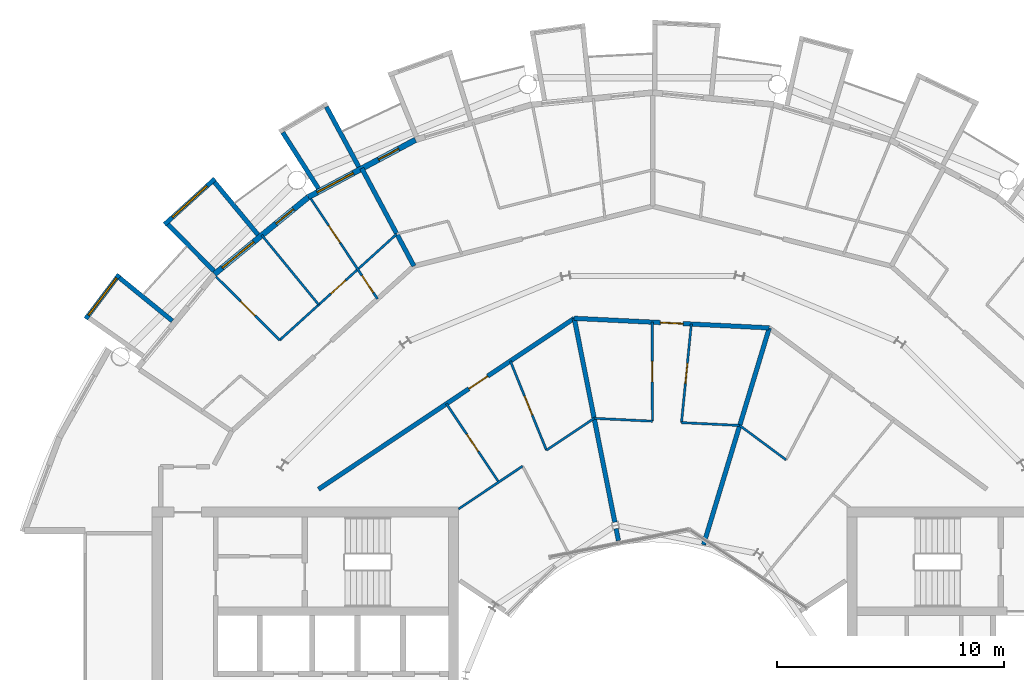
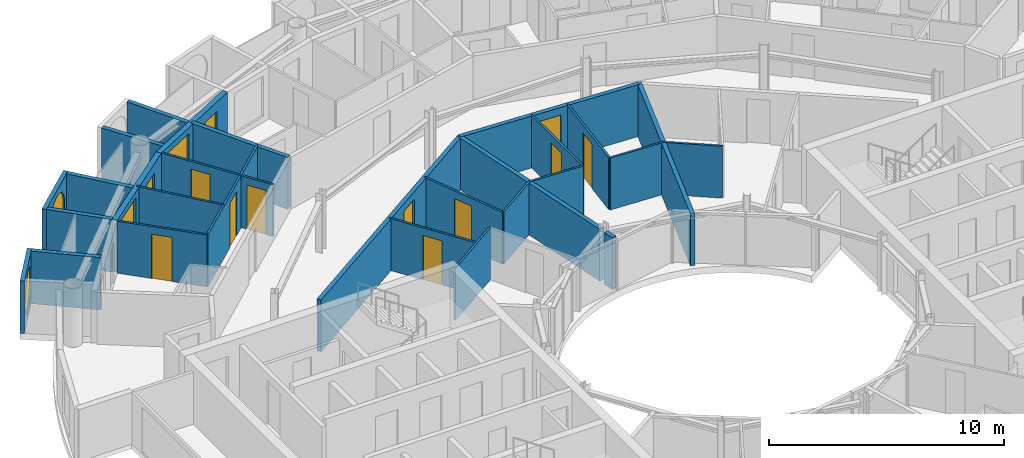
# One storey, part 21 of 29: 28 walls, 12 doors, 4 windows, 16 openings.
"""IFC4 building model written with IfcOpenShell, lengths in metres."""

from ifc_helpers import new_model, si_unit, direction, frame, frame_2d, origin, place, context, subcontext, project, spatial, rectangle, circle, extrude, material, layer, layer_set, type_object, element, fill, save


model = new_model("IFC4")

# Units and contexts
model_context = context("Model", 3, precision=1e-05, world=origin(), true_north=direction((0.0, 1.0)))
body_context = subcontext(model_context, "Body", "Model", "MODEL_VIEW")
ifc_project = project(units=[si_unit("LENGTHUNIT", "METRE"), si_unit("AREAUNIT", "SQUARE_METRE"), si_unit("VOLUMEUNIT", "CUBIC_METRE"), si_unit("PLANEANGLEUNIT", "RADIAN"), si_unit("MASSUNIT", "GRAM", prefix="KILO")], contexts=[model_context])

# Site, building, storey
site_placement = place(None, origin())
site = spatial("IfcSite", under=ifc_project, at=site_placement, CompositionType="ELEMENT")
building_placement = place(site_placement, origin())
building = spatial("IfcBuilding", under=site, at=building_placement, Name="Maasbend Ring Residences", CompositionType="ELEMENT")
storey_placement = place(building_placement, frame((0.0, 0.0, 193.25)))
storey = spatial("IfcBuildingStorey", under=building, at=storey_placement, Name="L55", CompositionType="ELEMENT", Elevation=193.25)

# Wall, opening, door
ifc_material_1 = material(Name="Concrete C30/37", Category="concrete")
ifc_layer_1 = layer(ifc_material_1, 0.199951171875)
ifc_layer_set_1 = layer_set([ifc_layer_1], Name="Concrete C30/37")
wall_type_1 = type_object("IfcWallType", Name="CORRIDOR WALL 200 CONCRETE", PredefinedType="PARTITIONING", material=ifc_layer_set_1)
wall_1_placement = place(storey_placement, frame((-14.718017578125, 9.83203125, 0.0), z_axis=(0.0, 0.0, 1.0), x_axis=(0.831437137577, 0.555618831806, 0.0)))
wall_1 = element("IfcWall", 1, at=wall_1_placement, inside=storey, type_object=wall_type_1, Name="U-L55-w101", PredefinedType="PARTITIONING", context=body_context, shape_type="SweptSolid", body=[
    extrude(rectangle(XDim=13.549072265625, YDim=0.199951171875, at=frame_2d((6.7744140625, 0.0))), origin(), (0.0, 0.0, 1.0), 2.699951171875),
])
opening_1_placement = place(wall_1_placement, frame((7.968017578125, 0.0, 0.0)))
opening_1 = element("IfcOpeningElement", 2, at=opening_1_placement, cuts=wall_1, Name="Opening D-5532", PredefinedType="OPENING", context=body_context, shape_type="SweptSolid", body=[
    extrude(rectangle(XDim=1.0, YDim=2.300048828125, at=frame_2d((0.5, 1.14990234375))), frame((0.0, 0.10986328125, 0.0), z_axis=(0.0, -1.0, 0.0), x_axis=(1.0, 0.0, 0.0)), (0.0, 0.0, 1.0), 0.219970703125),
])
ifc_material_2 = material(Name="Timber, fire-rated, painted", Category="wood")
door_type_1 = type_object("IfcDoorType", Name="FLAT ENTRANCE DOOR 1000 X 2300 FIRE-RATED", OperationType="NOTDEFINED", PredefinedType="DOOR", material=ifc_material_2)
door_1_placement = place(opening_1_placement, origin())
door_1 = element("IfcDoor", 3, at=door_1_placement, inside=storey, type_object=door_type_1, Name="D-5532", OperationType="SINGLE_SWING_RIGHT", OverallHeight=2.300048828125, OverallWidth=1.0, PredefinedType="DOOR", context=body_context, shape_type="SweptSolid", body=[
    extrude(rectangle(XDim=1.0, YDim=2.300048828125, at=frame_2d((0.5, 1.14990234375))), frame((0.0, 0.02490234375, 0.0), z_axis=(0.0, -1.0, 0.0), x_axis=(1.0, 0.0, 0.0)), (0.0, 0.0, 1.0), 0.050048828125),
])
fill(opening_1, door_1)

wall_2_placement = place(storey_placement, frame((-3.4580078125, 17.35888671875, 0.0), z_axis=(0.0, 0.0, 1.0), x_axis=(0.998807562286, -0.048820625966, 0.0)))
wall_2 = element("IfcWall", 4, at=wall_2_placement, inside=storey, type_object=wall_type_1, Name="U-L55-w103", PredefinedType="PARTITIONING", context=body_context, shape_type="SweptSolid", body=[
    extrude(rectangle(XDim=8.601318359375, YDim=0.199951171875, at=frame_2d((4.30078125, 0.0))), origin(), (0.0, 0.0, 1.0), 2.699951171875),
])
opening_2_placement = place(wall_2_placement, frame((3.803955078125, 0.0, 0.0)))
opening_2 = element("IfcOpeningElement", 5, at=opening_2_placement, cuts=wall_2, Name="Opening D-5529", PredefinedType="OPENING", context=body_context, shape_type="SweptSolid", body=[
    extrude(rectangle(XDim=1.0, YDim=2.300048828125, at=frame_2d((0.5, 1.14990234375))), frame((0.0, 0.10986328125, 0.0), z_axis=(0.0, -1.0, 0.0), x_axis=(1.0, 0.0, 0.0)), (0.0, 0.0, 1.0), 0.219970703125),
])
door_2_placement = place(opening_2_placement, origin())
door_2 = element("IfcDoor", 6, at=door_2_placement, inside=storey, type_object=door_type_1, Name="D-5529", OperationType="SINGLE_SWING_RIGHT", OverallHeight=2.300048828125, OverallWidth=1.0, PredefinedType="DOOR", context=body_context, shape_type="SweptSolid", body=[
    extrude(rectangle(XDim=1.0, YDim=2.300048828125, at=frame_2d((0.5, 1.14990234375))), frame((0.0, 0.02490234375, 0.0), z_axis=(0.0, -1.0, 0.0), x_axis=(1.0, 0.0, 0.0)), (0.0, 0.0, 1.0), 0.050048828125),
])
fill(opening_2, door_2)

# Walls
ifc_material_3 = material(Name="Pale anodised aluminium panel", Category="aluminium")
ifc_layer_2 = layer(ifc_material_3, 0.199951171875)
ifc_layer_set_2 = layer_set([ifc_layer_2], Name="EW-BOX")
wall_type_2 = type_object("IfcWallType", Name="EW-BOX", PredefinedType="SOLIDWALL", material=ifc_layer_set_2)
wall_3_placement = place(storey_placement, frame((-12.945068359375, 24.029052734375, -0.030029296875), z_axis=(0.0, 0.0, 1.0), x_axis=(-0.474424310775, 0.88029629861, 0.0)))
element("IfcWall", 7, at=wall_3_placement, inside=storey, type_object=wall_type_2, Name="Box side wall N16 left", PredefinedType="SOLIDWALL", context=body_context, shape_type="SweptSolid", body=[
    extrude(rectangle(XDim=3.005859375, YDim=0.199951171875, at=frame_2d((1.5029296875, 0.0))), origin(), (0.0, 0.0, 1.0), 2.72998046875),
])
wall_4_placement = place(storey_placement, frame((-14.721923828125, 23.0791015625, -0.030029296875), z_axis=(0.0, 0.0, 1.0), x_axis=(-0.537572179146, 0.843217737129, 0.0)))
element("IfcWall", 8, at=wall_4_placement, inside=storey, type_object=wall_type_2, Name="Box side wall N16 right", PredefinedType="SOLIDWALL", context=body_context, shape_type="SweptSolid", body=[
    extrude(rectangle(XDim=2.92431640625, YDim=0.199951171875, at=frame_2d((1.462158203125, 0.0))), origin(), (0.0, 0.0, 1.0), 2.72998046875),
])

# Wall, opening, window
wall_5_placement = place(storey_placement, frame((-19.281982421875, 23.5029296875, -0.030029296875), z_axis=(0.0, 0.0, 1.0), x_axis=(-0.740998365753, -0.671506829416, 0.0)))
wall_5 = element("IfcWall", 9, at=wall_5_placement, inside=storey, type_object=wall_type_2, Name="Box front N18", PredefinedType="SOLIDWALL", context=body_context, shape_type="SweptSolid", body=[
    extrude(rectangle(XDim=2.9931640625, YDim=0.199951171875, at=frame_2d((1.49658203125, 0.0))), origin(), (0.0, 0.0, 1.0), 2.72998046875),
])
opening_3_placement = place(wall_5_placement, frame((0.45654296875, 0.0, 0.330078125)))
opening_3 = element("IfcOpeningElement", 10, at=opening_3_placement, cuts=wall_5, Name="Opening W-RD", PredefinedType="OPENING", context=body_context, shape_type="SweptSolid", body=[
    extrude(circle(Radius=1.0400390625, at=frame_2d((1.0400390625, 1.0400390625))), frame((0.0, 0.10986328125, 0.0), z_axis=(0.0, -1.0, 0.0), x_axis=(1.0, 0.0, 0.0)), (0.0, 0.0, 1.0), 0.219970703125),
])
ifc_material_4 = material(Name="Aluminium and clear glass", Category="aluminium")
window_type_1 = type_object("IfcWindowType", Name="W-RD", PartitioningType="SINGLE_PANEL", PredefinedType="WINDOW", material=ifc_material_4)
window_1_placement = place(opening_3_placement, origin())
window_1 = element("IfcWindow", 11, at=window_1_placement, inside=storey, type_object=window_type_1, Name="Round window N18", OverallHeight=2.080078125, OverallWidth=2.080078125, PartitioningType="SINGLE_PANEL", PredefinedType="WINDOW", context=body_context, shape_type="SweptSolid", body=[
    extrude(circle(Radius=1.0400390625, at=frame_2d((1.0400390625, 1.0400390625))), frame((0.0, 0.030029296875, 0.0), z_axis=(0.0, -1.0, 0.0), x_axis=(1.0, 0.0, 0.0)), (0.0, 0.0, 1.0), 0.06005859375),
])
fill(opening_3, window_1)

# Walls
wall_6_placement = place(storey_placement, frame((-17.384033203125, 21.041015625, -0.030029296875), z_axis=(0.0, 0.0, 1.0), x_axis=(-0.63709551667, 0.770784861449, 0.0)))
element("IfcWall", 12, at=wall_6_placement, inside=storey, type_object=wall_type_2, Name="Box side wall N18 left", PredefinedType="SOLIDWALL", context=body_context, shape_type="SweptSolid", body=[
    extrude(rectangle(XDim=3.005859375, YDim=0.199951171875, at=frame_2d((1.5029296875, 0.0))), origin(), (0.0, 0.0, 1.0), 2.72998046875),
])
wall_7_placement = place(storey_placement, frame((-19.322998046875, 19.449951171875, -0.030029296875), z_axis=(0.0, 0.0, 1.0), x_axis=(-0.704476739375, 0.709727076896, 0.0)))
element("IfcWall", 13, at=wall_7_placement, inside=storey, type_object=wall_type_2, Name="Box side wall N18 right", PredefinedType="SOLIDWALL", context=body_context, shape_type="SweptSolid", body=[
    extrude(rectangle(XDim=2.883056640625, YDim=0.199951171875, at=frame_2d((1.44140625, 0.0))), origin(), (0.0, 0.0, 1.0), 2.72998046875),
])

# Wall, opening, window
wall_8_placement = place(storey_placement, frame((-23.4970703125, 19.2890625, -0.030029296875), z_axis=(0.0, 0.0, 1.0), x_axis=(-0.602806268067, -0.797887588059, 0.0)))
wall_8 = element("IfcWall", 14, at=wall_8_placement, inside=storey, type_object=wall_type_2, Name="Box front N20", PredefinedType="SOLIDWALL", context=body_context, shape_type="SweptSolid", body=[
    extrude(rectangle(XDim=2.446533203125, YDim=0.199951171875, at=frame_2d((1.22314453125, 0.0))), origin(), (0.0, 0.0, 1.0), 2.72998046875),
])
opening_4_placement = place(wall_8_placement, frame((0.182861328125, 0.0, 0.330078125)))
opening_4 = element("IfcOpeningElement", 15, at=opening_4_placement, cuts=wall_8, Name="Opening W-RD", PredefinedType="OPENING", context=body_context, shape_type="SweptSolid", body=[
    extrude(circle(Radius=1.0400390625, at=frame_2d((1.0400390625, 1.0400390625))), frame((0.0, 0.10986328125, 0.0), z_axis=(0.0, -1.0, 0.0), x_axis=(1.0, 0.0, 0.0)), (0.0, 0.0, 1.0), 0.219970703125),
])
window_2_placement = place(opening_4_placement, origin())
window_2 = element("IfcWindow", 16, at=window_2_placement, inside=storey, type_object=window_type_1, Name="Round window N20", OverallHeight=2.080078125, OverallWidth=2.080078125, PartitioningType="SINGLE_PANEL", PredefinedType="WINDOW", context=body_context, shape_type="SweptSolid", body=[
    extrude(circle(Radius=1.0400390625, at=frame_2d((1.0400390625, 1.0400390625))), frame((0.0, 0.030029296875, 0.0), z_axis=(0.0, -1.0, 0.0), x_axis=(1.0, 0.0, 0.0)), (0.0, 0.0, 1.0), 0.06005859375),
])
fill(opening_4, window_2)

# Wall
wall_9_placement = place(storey_placement, frame((-21.155029296875, 17.24609375, -0.030029296875), z_axis=(0.0, 0.0, 1.0), x_axis=(-0.775179004516, 0.631741648902, 0.0)))
element("IfcWall", 17, at=wall_9_placement, inside=storey, type_object=wall_type_2, Name="Box side wall N20 left", PredefinedType="SOLIDWALL", context=body_context, shape_type="SweptSolid", body=[
    extrude(rectangle(XDim=3.005859375, YDim=0.199951171875, at=frame_2d((1.5029296875, 0.0))), origin(), (0.0, 0.0, 1.0), 2.72998046875),
])

# Wall, openings, door, window
ifc_material_5 = material(Name="Aluminium clad insulated panel", Category="aluminium")
ifc_layer_3 = layer(ifc_material_5, 0.25)
ifc_layer_set_3 = layer_set([ifc_layer_3], Name="EW-GL")
wall_type_3 = type_object("IfcWallType", Name="EW-GL", PredefinedType="SOLIDWALL", material=ifc_layer_set_3)
wall_10_placement = place(storey_placement, frame((-10.447021484375, 25.221923828125, 0.0), z_axis=(0.0, 0.0, 1.0), x_axis=(-0.881915646801, -0.471407246368, 0.0)))
wall_10 = element("IfcWall", 18, at=wall_10_placement, inside=storey, type_object=wall_type_3, Name="External wall N08", PredefinedType="SOLIDWALL", context=body_context, shape_type="SweptSolid", body=[
    extrude(rectangle(XDim=5.35205078125, YDim=0.25, at=frame_2d((2.676025390625, 0.0))), origin(), (0.0, 0.0, 1.0), 2.699951171875),
])
opening_5_placement = place(wall_10_placement, frame((0.841064453125, 0.0, 0.0)))
opening_5 = element("IfcOpeningElement", 19, at=opening_5_placement, cuts=wall_10, Name="Opening D-LG", PredefinedType="OPENING", context=body_context, shape_type="SweptSolid", body=[
    extrude(rectangle(XDim=1.0, YDim=2.199951171875, at=frame_2d((0.5, 1.10009765625))), frame((0.0, 0.135009765625, 0.0), z_axis=(0.0, -1.0, 0.0), x_axis=(1.0, 0.0, 0.0)), (0.0, 0.0, 1.0), 0.27001953125),
])
opening_6_placement = place(wall_10_placement, frame((3.110595703125, 0.0, 0.300048828125)))
opening_6 = element("IfcOpeningElement", 20, at=opening_6_placement, cuts=wall_10, Name="Opening W-BX", PredefinedType="OPENING", context=body_context, shape_type="SweptSolid", body=[
    extrude(rectangle(XDim=1.800048828125, YDim=2.10009765625, at=frame_2d((0.89990234375, 1.050048828125))), frame((0.0, 0.135009765625, 0.0), z_axis=(0.0, -1.0, 0.0), x_axis=(1.0, 0.0, 0.0)), (0.0, 0.0, 1.0), 0.27001953125),
])
ifc_material_6 = material(Name="Aluminium and clear glass", Category="aluminium")
door_type_2 = type_object("IfcDoorType", Name="D-LG", OperationType="SINGLE_SWING_LEFT", PredefinedType="DOOR", material=ifc_material_6)
door_3_placement = place(opening_5_placement, origin())
door_3 = element("IfcDoor", 21, at=door_3_placement, inside=storey, type_object=door_type_2, Name="Loggia door N15", OperationType="SINGLE_SWING_LEFT", OverallHeight=2.199951171875, OverallWidth=1.0, PredefinedType="DOOR", context=body_context, shape_type="SweptSolid", body=[
    extrude(rectangle(XDim=1.0, YDim=2.199951171875, at=frame_2d((0.5, 1.10009765625))), frame((0.0, 0.02490234375, 0.0), z_axis=(0.0, -1.0, 0.0), x_axis=(1.0, 0.0, 0.0)), (0.0, 0.0, 1.0), 0.050048828125),
])
fill(opening_5, door_3)
ifc_material_7 = material(Name="Aluminium and clear glass", Category="aluminium")
window_type_2 = type_object("IfcWindowType", Name="W-BX", PartitioningType="DOUBLE_PANEL_VERTICAL", PredefinedType="WINDOW", material=ifc_material_7)
window_3_placement = place(opening_6_placement, origin())
window_3 = element("IfcWindow", 22, at=window_3_placement, inside=storey, type_object=window_type_2, Name="Window N16 room to box", OverallHeight=2.10009765625, OverallWidth=1.800048828125, PartitioningType="SINGLE_PANEL", PredefinedType="WINDOW", context=body_context, shape_type="SweptSolid", body=[
    extrude(rectangle(XDim=1.800048828125, YDim=2.10009765625, at=frame_2d((0.89990234375, 1.050048828125))), frame((0.0, 0.030029296875, 0.0), z_axis=(0.0, -1.0, 0.0), x_axis=(1.0, 0.0, 0.0)), (0.0, 0.0, 1.0), 0.06005859375),
])
fill(opening_6, window_3)

wall_11_placement = place(storey_placement, frame((-15.1669921875, 22.698974609375, 0.0), z_axis=(0.0, 0.0, 1.0), x_axis=(-0.773019449054, -0.634382322723, 0.0)))
wall_11 = element("IfcWall", 23, at=wall_11_placement, inside=storey, type_object=wall_type_3, Name="External wall N09", PredefinedType="SOLIDWALL", context=body_context, shape_type="SweptSolid", body=[
    extrude(rectangle(XDim=5.351806640625, YDim=0.25, at=frame_2d((2.67578125, 0.0))), origin(), (0.0, 0.0, 1.0), 2.699951171875),
])
opening_7_placement = place(wall_11_placement, frame((0.841064453125, 0.0, 0.0)))
opening_7 = element("IfcOpeningElement", 24, at=opening_7_placement, cuts=wall_11, Name="Opening D-LG", PredefinedType="OPENING", context=body_context, shape_type="SweptSolid", body=[
    extrude(rectangle(XDim=1.0, YDim=2.199951171875, at=frame_2d((0.5, 1.10009765625))), frame((0.0, 0.135009765625, 0.0), z_axis=(0.0, -1.0, 0.0), x_axis=(1.0, 0.0, 0.0)), (0.0, 0.0, 1.0), 0.27001953125),
])
opening_8_placement = place(wall_11_placement, frame((3.110595703125, 0.0, 0.300048828125)))
opening_8 = element("IfcOpeningElement", 25, at=opening_8_placement, cuts=wall_11, Name="Opening W-BX", PredefinedType="OPENING", context=body_context, shape_type="SweptSolid", body=[
    extrude(rectangle(XDim=1.800048828125, YDim=2.10009765625, at=frame_2d((0.89990234375, 1.050048828125))), frame((0.0, 0.135009765625, 0.0), z_axis=(0.0, -1.0, 0.0), x_axis=(1.0, 0.0, 0.0)), (0.0, 0.0, 1.0), 0.27001953125),
])
door_4_placement = place(opening_7_placement, origin())
door_4 = element("IfcDoor", 26, at=door_4_placement, inside=storey, type_object=door_type_2, Name="Loggia door N17", OperationType="SINGLE_SWING_LEFT", OverallHeight=2.199951171875, OverallWidth=1.0, PredefinedType="DOOR", context=body_context, shape_type="SweptSolid", body=[
    extrude(rectangle(XDim=1.0, YDim=2.199951171875, at=frame_2d((0.5, 1.10009765625))), frame((0.0, 0.02490234375, 0.0), z_axis=(0.0, -1.0, 0.0), x_axis=(1.0, 0.0, 0.0)), (0.0, 0.0, 1.0), 0.050048828125),
])
fill(opening_7, door_4)
window_4_placement = place(opening_8_placement, origin())
window_4 = element("IfcWindow", 27, at=window_4_placement, inside=storey, type_object=window_type_2, Name="Window N18 room to box", OverallHeight=2.10009765625, OverallWidth=1.800048828125, PartitioningType="SINGLE_PANEL", PredefinedType="WINDOW", context=body_context, shape_type="SweptSolid", body=[
    extrude(rectangle(XDim=1.800048828125, YDim=2.10009765625, at=frame_2d((0.89990234375, 1.050048828125))), frame((0.0, 0.030029296875, 0.0), z_axis=(0.0, -1.0, 0.0), x_axis=(1.0, 0.0, 0.0)), (0.0, 0.0, 1.0), 0.06005859375),
])
fill(opening_8, window_4)

# Wall, opening, door
ifc_material_8 = material(Name="Gypsum board on steel studs", Category="steel")
ifc_layer_4 = layer(ifc_material_8, 0.10009765625)
ifc_layer_set_4 = layer_set([ifc_layer_4], Name="PARTITION 100 GYPSUM")
wall_type_4 = type_object("IfcWallType", Name="PARTITION 100 GYPSUM", PredefinedType="PARTITIONING", material=ifc_layer_set_4)
wall_12_placement = place(storey_placement, frame((-19.23388671875, 19.197021484375, 0.0), z_axis=(0.0, 0.0, 1.0), x_axis=(0.707722727509, -0.706490297858, 0.0)))
wall_12 = element("IfcWall", 28, at=wall_12_placement, inside=storey, type_object=wall_type_4, Name="U-L55-w035", PredefinedType="PARTITIONING", context=body_context, shape_type="SweptSolid", body=[
    extrude(rectangle(XDim=3.9619140625, YDim=0.10009765625, at=frame_2d((1.98095703125, 0.0))), origin(), (0.0, 0.0, 1.0), 2.699951171875),
])
opening_9_placement = place(wall_12_placement, frame((1.531005859375, 0.0, 0.0)))
opening_9 = element("IfcOpeningElement", 29, at=opening_9_placement, cuts=wall_12, Name="Opening D-5522", PredefinedType="OPENING", context=body_context, shape_type="SweptSolid", body=[
    extrude(rectangle(XDim=0.89990234375, YDim=2.300048828125, at=frame_2d((0.449951171875, 1.14990234375))), frame((0.0, 0.06005859375, 0.0), z_axis=(0.0, -1.0, 0.0), x_axis=(1.0, 0.0, 0.0)), (0.0, 0.0, 1.0), 0.1201171875),
])
ifc_material_9 = material(Name="Timber, painted", Category="wood")
door_type_3 = type_object("IfcDoorType", Name="INTERNAL DOOR 900 X 2300", OperationType="NOTDEFINED", PredefinedType="DOOR", material=ifc_material_9)
door_5_placement = place(opening_9_placement, origin())
door_5 = element("IfcDoor", 30, at=door_5_placement, inside=storey, type_object=door_type_3, Name="D-5522", OperationType="SINGLE_SWING_LEFT", OverallHeight=2.300048828125, OverallWidth=0.89990234375, PredefinedType="DOOR", context=body_context, shape_type="SweptSolid", body=[
    extrude(rectangle(XDim=0.89990234375, YDim=2.300048828125, at=frame_2d((0.449951171875, 1.14990234375))), frame((0.0, 0.02490234375, 0.0), z_axis=(0.0, -1.0, 0.0), x_axis=(1.0, 0.0, 0.0)), (0.0, 0.0, 1.0), 0.050048828125),
])
fill(opening_9, door_5)

# Wall
wall_13_placement = place(storey_placement, frame((-17.218994140625, 21.02294921875, 0.0), z_axis=(0.0, 0.0, 1.0), x_axis=(0.633590098448, -0.773668913133, 0.0)))
element("IfcWall", 31, at=wall_13_placement, inside=storey, type_object=wall_type_4, Name="U-L55-w038", PredefinedType="PARTITIONING", context=body_context, shape_type="SweptSolid", body=[
    extrude(rectangle(XDim=3.961669921875, YDim=0.10009765625, at=frame_2d((1.98095703125, 0.0))), origin(), (0.0, 0.0, 1.0), 2.699951171875),
])

# Wall, openings, doors
wall_14_placement = place(storey_placement, frame((-15.053955078125, 22.6240234375, 0.0), z_axis=(0.0, 0.0, 1.0), x_axis=(0.553913391217, -0.832574294, 0.0)))
wall_14 = element("IfcWall", 32, at=wall_14_placement, inside=storey, type_object=wall_type_4, Name="U-L55-w040", PredefinedType="PARTITIONING", context=body_context, shape_type="SweptSolid", body=[
    extrude(rectangle(XDim=5.300537109375, YDim=0.10009765625, at=frame_2d((2.650390625, 0.0))), origin(), (0.0, 0.0, 1.0), 2.699951171875),
])
opening_10_placement = place(wall_14_placement, frame((4.06494140625, 0.0, 0.0)))
opening_10 = element("IfcOpeningElement", 33, at=opening_10_placement, cuts=wall_14, Name="Opening D-5521", PredefinedType="OPENING", context=body_context, shape_type="SweptSolid", body=[
    extrude(rectangle(XDim=0.89990234375, YDim=2.300048828125, at=frame_2d((0.449951171875, 1.14990234375))), frame((0.0, 0.06005859375, 0.0), z_axis=(0.0, -1.0, 0.0), x_axis=(1.0, 0.0, 0.0)), (0.0, 0.0, 1.0), 0.1201171875),
])
opening_11_placement = place(wall_14_placement, frame((1.4150390625, 0.0, 0.0)))
opening_11 = element("IfcOpeningElement", 34, at=opening_11_placement, cuts=wall_14, Name="Opening D-5524", PredefinedType="OPENING", context=body_context, shape_type="SweptSolid", body=[
    extrude(rectangle(XDim=0.89990234375, YDim=2.300048828125, at=frame_2d((0.449951171875, 1.14990234375))), frame((0.0, 0.06005859375, 0.0), z_axis=(0.0, -1.0, 0.0), x_axis=(1.0, 0.0, 0.0)), (0.0, 0.0, 1.0), 0.1201171875),
])
door_6_placement = place(opening_10_placement, origin())
door_6 = element("IfcDoor", 35, at=door_6_placement, inside=storey, type_object=door_type_3, Name="D-5521", OperationType="SINGLE_SWING_RIGHT", OverallHeight=2.300048828125, OverallWidth=0.89990234375, PredefinedType="DOOR", context=body_context, shape_type="SweptSolid", body=[
    extrude(rectangle(XDim=0.89990234375, YDim=2.300048828125, at=frame_2d((0.449951171875, 1.14990234375))), frame((0.0, 0.02490234375, 0.0), z_axis=(0.0, -1.0, 0.0), x_axis=(1.0, 0.0, 0.0)), (0.0, 0.0, 1.0), 0.050048828125),
])
fill(opening_10, door_6)
door_7_placement = place(opening_11_placement, origin())
door_7 = element("IfcDoor", 36, at=door_7_placement, inside=storey, type_object=door_type_3, Name="D-5524", OperationType="SINGLE_SWING_LEFT", OverallHeight=2.300048828125, OverallWidth=0.89990234375, PredefinedType="DOOR", context=body_context, shape_type="SweptSolid", body=[
    extrude(rectangle(XDim=0.89990234375, YDim=2.300048828125, at=frame_2d((0.449951171875, 1.14990234375))), frame((0.0, 0.02490234375, 0.0), z_axis=(0.0, -1.0, 0.0), x_axis=(1.0, 0.0, 0.0)), (0.0, 0.0, 1.0), 0.050048828125),
])
fill(opening_11, door_7)

# Wall, opening, door
wall_15_placement = place(storey_placement, frame((-9.0849609375, 13.596923828125, 0.0), z_axis=(0.0, 0.0, 1.0), x_axis=(0.555528237031, -0.831497671591, 0.0)))
wall_15 = element("IfcWall", 37, at=wall_15_placement, inside=storey, type_object=wall_type_4, Name="U-L55-w046", PredefinedType="PARTITIONING", context=body_context, shape_type="SweptSolid", body=[
    extrude(rectangle(XDim=4.149169921875, YDim=0.10009765625, at=frame_2d((2.07470703125, 0.0))), origin(), (0.0, 0.0, 1.0), 2.699951171875),
])
opening_12_placement = place(wall_15_placement, frame((1.625, 0.0, 0.0)))
opening_12 = element("IfcOpeningElement", 38, at=opening_12_placement, cuts=wall_15, Name="Opening D-5534", PredefinedType="OPENING", context=body_context, shape_type="SweptSolid", body=[
    extrude(rectangle(XDim=0.89990234375, YDim=2.300048828125, at=frame_2d((0.449951171875, 1.14990234375))), frame((0.0, 0.06005859375, 0.0), z_axis=(0.0, -1.0, 0.0), x_axis=(1.0, 0.0, 0.0)), (0.0, 0.0, 1.0), 0.1201171875),
])
door_8_placement = place(opening_12_placement, origin())
door_8 = element("IfcDoor", 39, at=door_8_placement, inside=storey, type_object=door_type_3, Name="D-5534", OperationType="SINGLE_SWING_LEFT", OverallHeight=2.300048828125, OverallWidth=0.89990234375, PredefinedType="DOOR", context=body_context, shape_type="SweptSolid", body=[
    extrude(rectangle(XDim=0.89990234375, YDim=2.300048828125, at=frame_2d((0.449951171875, 1.14990234375))), frame((0.0, 0.02490234375, 0.0), z_axis=(0.0, -1.0, 0.0), x_axis=(1.0, 0.0, 0.0)), (0.0, 0.0, 1.0), 0.050048828125),
])
fill(opening_12, door_8)

wall_16_placement = place(storey_placement, frame((-6.26904296875, 15.47802734375, 0.0), z_axis=(0.0, 0.0, 1.0), x_axis=(0.375509828455, -0.926818411952, 0.0)))
wall_16 = element("IfcWall", 40, at=wall_16_placement, inside=storey, type_object=wall_type_4, Name="U-L55-w050", PredefinedType="PARTITIONING", context=body_context, shape_type="SweptSolid", body=[
    extrude(rectangle(XDim=4.237060546875, YDim=0.10009765625, at=frame_2d((2.11865234375, 0.0))), origin(), (0.0, 0.0, 1.0), 2.699951171875),
])
opening_13_placement = place(wall_16_placement, frame((1.6689453125, 0.0, 0.0)))
opening_13 = element("IfcOpeningElement", 41, at=opening_13_placement, cuts=wall_16, Name="Opening D-5533", PredefinedType="OPENING", context=body_context, shape_type="SweptSolid", body=[
    extrude(rectangle(XDim=0.89990234375, YDim=2.300048828125, at=frame_2d((0.449951171875, 1.14990234375))), frame((0.0, 0.06005859375, 0.0), z_axis=(0.0, -1.0, 0.0), x_axis=(1.0, 0.0, 0.0)), (0.0, 0.0, 1.0), 0.1201171875),
])
door_9_placement = place(opening_13_placement, origin())
door_9 = element("IfcDoor", 42, at=door_9_placement, inside=storey, type_object=door_type_3, Name="D-5533", OperationType="SINGLE_SWING_LEFT", OverallHeight=2.300048828125, OverallWidth=0.89990234375, PredefinedType="DOOR", context=body_context, shape_type="SweptSolid", body=[
    extrude(rectangle(XDim=0.89990234375, YDim=2.300048828125, at=frame_2d((0.449951171875, 1.14990234375))), frame((0.0, 0.02490234375, 0.0), z_axis=(0.0, -1.0, 0.0), x_axis=(1.0, 0.0, 0.0)), (0.0, 0.0, 1.0), 0.050048828125),
])
fill(opening_13, door_9)

wall_17_placement = place(storey_placement, frame((-0.011962890625, 12.8291015625, 0.0), z_axis=(0.0, 0.0, 1.0), x_axis=(-0.001175416181, 0.999999309198, 0.0)))
wall_17 = element("IfcWall", 43, at=wall_17_placement, inside=storey, type_object=wall_type_4, Name="U-L55-w061", PredefinedType="PARTITIONING", context=body_context, shape_type="SweptSolid", body=[
    extrude(rectangle(XDim=4.36181640625, YDim=0.10009765625, at=frame_2d((2.180908203125, 0.0))), origin(), (0.0, 0.0, 1.0), 2.699951171875),
])
opening_14_placement = place(wall_17_placement, frame((1.73095703125, 0.0, 0.0)))
opening_14 = element("IfcOpeningElement", 44, at=opening_14_placement, cuts=wall_17, Name="Opening D-5531", PredefinedType="OPENING", context=body_context, shape_type="SweptSolid", body=[
    extrude(rectangle(XDim=0.89990234375, YDim=2.300048828125, at=frame_2d((0.449951171875, 1.14990234375))), frame((0.0, 0.06005859375, 0.0), z_axis=(0.0, -1.0, 0.0), x_axis=(1.0, 0.0, 0.0)), (0.0, 0.0, 1.0), 0.1201171875),
])
door_10_placement = place(opening_14_placement, origin())
door_10 = element("IfcDoor", 45, at=door_10_placement, inside=storey, type_object=door_type_3, Name="D-5531", OperationType="SINGLE_SWING_RIGHT", OverallHeight=2.300048828125, OverallWidth=0.89990234375, PredefinedType="DOOR", context=body_context, shape_type="SweptSolid", body=[
    extrude(rectangle(XDim=0.89990234375, YDim=2.300048828125, at=frame_2d((0.449951171875, 1.14990234375))), frame((0.0, 0.02490234375, 0.0), z_axis=(0.0, -1.0, 0.0), x_axis=(1.0, 0.0, 0.0)), (0.0, 0.0, 1.0), 0.050048828125),
])
fill(opening_14, door_10)

wall_18_placement = place(storey_placement, frame((1.27001953125, 12.76611328125, 0.0), z_axis=(0.0, 0.0, 1.0), x_axis=(0.099004993851, 0.9950869365, 0.0)))
wall_18 = element("IfcWall", 46, at=wall_18_placement, inside=storey, type_object=wall_type_4, Name="U-L55-w065", PredefinedType="PARTITIONING", context=body_context, shape_type="SweptSolid", body=[
    extrude(rectangle(XDim=4.3623046875, YDim=0.10009765625, at=frame_2d((2.18115234375, 0.0))), origin(), (0.0, 0.0, 1.0), 2.699951171875),
])
opening_15_placement = place(wall_18_placement, frame((1.73095703125, 0.0, 0.0)))
opening_15 = element("IfcOpeningElement", 47, at=opening_15_placement, cuts=wall_18, Name="Opening D-5530", PredefinedType="OPENING", context=body_context, shape_type="SweptSolid", body=[
    extrude(rectangle(XDim=0.89990234375, YDim=2.300048828125, at=frame_2d((0.449951171875, 1.14990234375))), frame((0.0, 0.06005859375, 0.0), z_axis=(0.0, -1.0, 0.0), x_axis=(1.0, 0.0, 0.0)), (0.0, 0.0, 1.0), 0.1201171875),
])
door_11_placement = place(opening_15_placement, origin())
door_11 = element("IfcDoor", 48, at=door_11_placement, inside=storey, type_object=door_type_3, Name="D-5530", OperationType="SINGLE_SWING_LEFT", OverallHeight=2.300048828125, OverallWidth=0.89990234375, PredefinedType="DOOR", context=body_context, shape_type="SweptSolid", body=[
    extrude(rectangle(XDim=0.89990234375, YDim=2.300048828125, at=frame_2d((0.449951171875, 1.14990234375))), frame((0.0, 0.02490234375, 0.0), z_axis=(0.0, -1.0, 0.0), x_axis=(1.0, 0.0, 0.0)), (0.0, 0.0, 1.0), 0.050048828125),
])
fill(opening_15, door_11)

# Walls
wall_19_placement = place(storey_placement, frame((-8.550048828125, 8.962890625, 0.0), z_axis=(0.0, 0.0, 1.0), x_axis=(0.83129689803, 0.555828631257, 0.0)))
element("IfcWall", 49, at=wall_19_placement, inside=storey, type_object=wall_type_4, Name="U-L55-w095", PredefinedType="PARTITIONING", context=body_context, shape_type="SweptSolid", body=[
    extrude(rectangle(XDim=3.3935546875, YDim=0.10009765625, at=frame_2d((1.69677734375, 0.0))), origin(), (0.0, 0.0, 1.0), 2.699951171875),
])
wall_20_placement = place(storey_placement, frame((-4.677978515625, 11.551025390625, 0.0), z_axis=(0.0, 0.0, 1.0), x_axis=(0.831440395268, 0.555613956912, 0.0)))
element("IfcWall", 50, at=wall_20_placement, inside=storey, type_object=wall_type_4, Name="U-L55-w096", PredefinedType="PARTITIONING", context=body_context, shape_type="SweptSolid", body=[
    extrude(rectangle(XDim=2.527099609375, YDim=0.10009765625, at=frame_2d((1.263671875, 0.0))), origin(), (0.0, 0.0, 1.0), 2.699951171875),
])
wall_21_placement = place(storey_placement, frame((3.833984375, 12.639892578125, 0.0), z_axis=(0.0, 0.0, 1.0), x_axis=(0.803259509791, -0.595629213463, 0.0)))
element("IfcWall", 51, at=wall_21_placement, inside=storey, type_object=wall_type_4, Name="U-L55-w097", PredefinedType="PARTITIONING", context=body_context, shape_type="SweptSolid", body=[
    extrude(rectangle(XDim=2.54345703125, YDim=0.10009765625, at=frame_2d((1.271728515625, 0.0))), origin(), (0.0, 0.0, 1.0), 2.699951171875),
])
wall_22_placement = place(storey_placement, frame((-2.576904296875, 12.955078125, 0.0), z_axis=(0.0, 0.0, 1.0), x_axis=(0.998796046378, -0.049055659616, 0.0)))
element("IfcWall", 52, at=wall_22_placement, inside=storey, type_object=wall_type_4, Name="U-L55-w099", PredefinedType="PARTITIONING", context=body_context, shape_type="SweptSolid", body=[
    extrude(rectangle(XDim=2.568115234375, YDim=0.10009765625, at=frame_2d((1.2841796875, 0.0))), origin(), (0.0, 0.0, 1.0), 2.699951171875),
])
wall_23_placement = place(storey_placement, frame((1.27001953125, 12.76611328125, 0.0), z_axis=(0.0, 0.0, 1.0), x_axis=(0.998790464653, -0.049169174464, 0.0)))
element("IfcWall", 53, at=wall_23_placement, inside=storey, type_object=wall_type_4, Name="U-L55-w100", PredefinedType="PARTITIONING", context=body_context, shape_type="SweptSolid", body=[
    extrude(rectangle(XDim=2.567138671875, YDim=0.10009765625, at=frame_2d((1.28369140625, 0.0))), origin(), (0.0, 0.0, 1.0), 2.699951171875),
])

# Wall, opening, door
wall_24_placement = place(storey_placement, frame((-16.429931640625, 16.39794921875, 0.0), z_axis=(0.0, 0.0, 1.0), x_axis=(0.740934061958, 0.671577780923, 0.0)))
wall_24 = element("IfcWall", 54, at=wall_24_placement, inside=storey, type_object=wall_type_4, Name="U-L55-w113", PredefinedType="PARTITIONING", context=body_context, shape_type="SweptSolid", body=[
    extrude(rectangle(XDim=6.962646484375, YDim=0.10009765625, at=frame_2d((3.4814453125, 0.0))), origin(), (0.0, 0.0, 1.0), 2.699951171875),
])
opening_16_placement = place(wall_24_placement, frame((3.033935546875, 0.0, 0.0)))
opening_16 = element("IfcOpeningElement", 55, at=opening_16_placement, cuts=wall_24, Name="Opening D-5523", PredefinedType="OPENING", context=body_context, shape_type="SweptSolid", body=[
    extrude(rectangle(XDim=0.89990234375, YDim=2.300048828125, at=frame_2d((0.449951171875, 1.14990234375))), frame((0.0, 0.06005859375, 0.0), z_axis=(0.0, -1.0, 0.0), x_axis=(1.0, 0.0, 0.0)), (0.0, 0.0, 1.0), 0.1201171875),
])
door_12_placement = place(opening_16_placement, origin())
door_12 = element("IfcDoor", 56, at=door_12_placement, inside=storey, type_object=door_type_3, Name="D-5523", OperationType="SINGLE_SWING_RIGHT", OverallHeight=2.300048828125, OverallWidth=0.89990234375, PredefinedType="DOOR", context=body_context, shape_type="SweptSolid", body=[
    extrude(rectangle(XDim=0.89990234375, YDim=2.300048828125, at=frame_2d((0.449951171875, 1.14990234375))), frame((0.0, 0.02490234375, 0.0), z_axis=(0.0, -1.0, 0.0), x_axis=(1.0, 0.0, 0.0)), (0.0, 0.0, 1.0), 0.050048828125),
])
fill(opening_16, door_12)

# Walls
ifc_material_10 = material(Name="Concrete C30/37", Category="concrete")
ifc_layer_5 = layer(ifc_material_10, 0.199951171875)
ifc_layer_set_5 = layer_set([ifc_layer_5], Name="Concrete C30/37")
wall_type_5 = type_object("IfcWallType", Name="PARTY WALL 200 CONCRETE", PredefinedType="PARTITIONING", material=ifc_layer_set_5)
wall_25_placement = place(storey_placement, frame((-12.81396484375, 23.964111328125, 0.0), z_axis=(0.0, 0.0, 1.0), x_axis=(0.471388689095, -0.881925565903, 0.0)))
element("IfcWall", 57, at=wall_25_placement, inside=storey, type_object=wall_type_5, Name="U-L55-w042", PredefinedType="PARTITIONING", context=body_context, shape_type="SweptSolid", body=[
    extrude(rectangle(XDim=4.874755859375, YDim=0.199951171875, at=frame_2d((2.4375, 0.0))), origin(), (0.0, 0.0, 1.0), 2.699951171875),
])
wall_26_placement = place(storey_placement, frame((-3.452880859375, 17.360107421875, 0.0), z_axis=(0.0, 0.0, 1.0), x_axis=(0.195074954737, -0.98078833702, 0.0)))
element("IfcWall", 58, at=wall_26_placement, inside=storey, type_object=wall_type_5, Name="U-L55-w056", PredefinedType="PARTITIONING", context=body_context, shape_type="SweptSolid", body=[
    extrude(rectangle(XDim=9.15478515625, YDim=0.199951171875, at=frame_2d((4.577392578125, 0.0))), origin(), (0.0, 0.0, 1.0), 2.699951171875),
])
wall_27_placement = place(storey_placement, frame((-1.611083984375, 8.095947265625, 0.0), z_axis=(0.0, 0.0, 1.0), x_axis=(0.196467585126, -0.980510320188, 0.0)))
element("IfcWall", 59, at=wall_27_placement, inside=storey, type_object=wall_type_5, Name="U-L55-w059", PredefinedType="PARTITIONING", context=body_context, shape_type="SweptSolid", body=[
    extrude(rectangle(XDim=0.534423828125, YDim=0.199951171875, at=frame_2d((0.26708984375, 0.0))), origin(), (0.0, 0.0, 1.0), 2.699951171875),
])
wall_28_placement = place(storey_placement, frame((2.240966796875, 7.387939453125, 0.0), z_axis=(0.0, 0.0, 1.0), x_axis=(0.290284403441, 0.956940418793, 0.0)))
element("IfcWall", 60, at=wall_28_placement, inside=storey, type_object=wall_type_5, Name="U-L55-w069", PredefinedType="PARTITIONING", context=body_context, shape_type="SweptSolid", body=[
    extrude(rectangle(XDim=9.979736328125, YDim=0.199951171875, at=frame_2d((4.98974609375, 0.0))), origin(), (0.0, 0.0, 1.0), 2.699951171875),
])

save(model, "model.ifc")
